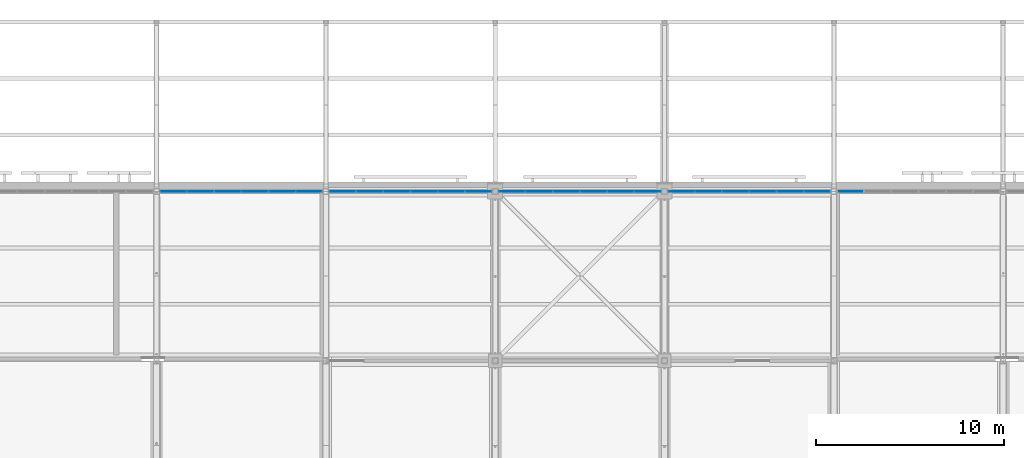
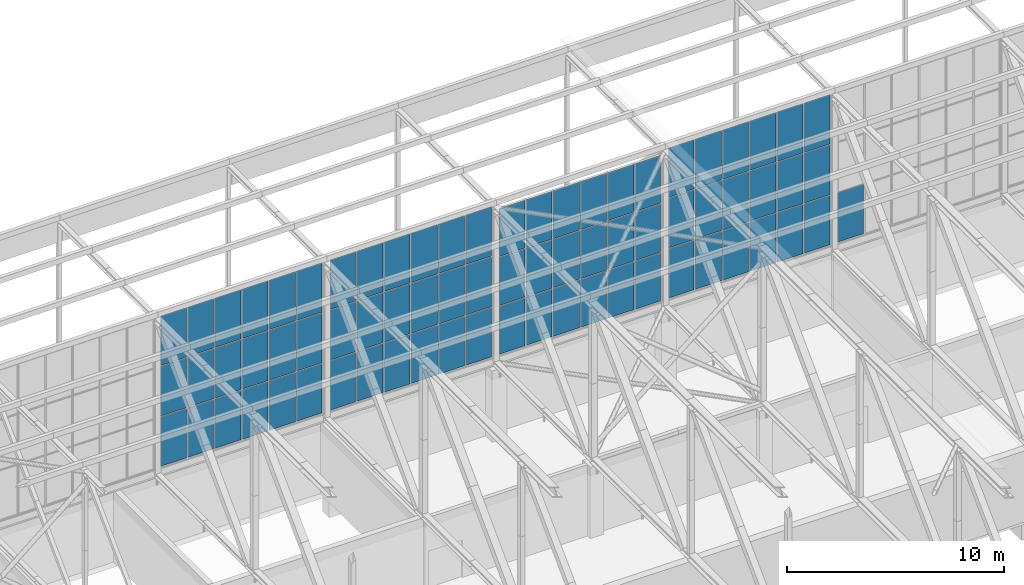
# One storey, part 161 of 646: 73 plates, 5 elements without a shape of their own.
"""IFC4 building model written with IfcOpenShell, lengths in metres."""

import ifcopenshell
import ifcopenshell.guid

model = None  # the IFC model being written
_history = None  # IfcOwnerHistory: only IFC2X3 demands one
_inside = {}  # id of a spatial element -> (the spatial element, [elements in it])
_under = {}  # id of a project, library or spatial element -> (it, [spatial elements below it])
_declared = {}  # id of a project -> (the project, [libraries it declares])
_typed = {}  # id of a type object -> (the type object, [elements of that type])
_made_of = {}  # id of a material, layer set ... -> (it, [elements and type objects made of it])


def new_model(schema):
    """Start an empty IFC model of exactly this schema.

    Asked for "IFC4X3", IfcOpenShell would pick the latest addendum, in which some entities
    have other attributes; the version numbers below select the first issue.
    IFC2X3 requires an IfcOwnerHistory on every rooted entity: one is made here for all.
    """
    global model, _history
    if schema == "IFC4X3":
        model = ifcopenshell.file(schema_version=(4, 3, 0, 0))
    else:
        model = ifcopenshell.file(schema=schema)
    _inside.clear()
    _under.clear()
    _declared.clear()
    _typed.clear()
    _made_of.clear()
    _history = None
    if model.schema == "IFC2X3":
        org = make("IfcOrganization", Name="unknown")
        user = make(
            "IfcPersonAndOrganization",
            ThePerson=make("IfcPerson", FamilyName="unknown"),
            TheOrganization=org,
        )
        app = make(
            "IfcApplication",
            ApplicationDeveloper=org,
            Version="unknown",
            ApplicationFullName="unknown",
            ApplicationIdentifier="unknown",
        )
        _history = make(
            "IfcOwnerHistory",
            OwningUser=user,
            OwningApplication=app,
            ChangeAction="ADDED",
            CreationDate=0,
        )
    return model


def make(cls, **values):
    """One entity of the class cls with the attributes given. An attribute that is None is left unset."""
    return model.create_entity(
        cls, **{name: value for name, value in values.items() if value is not None}
    )


def rooted(cls, **values):
    """An entity with a GlobalId (a new one), such as an element, a storey or a relation."""
    return make(cls, GlobalId=ifcopenshell.guid.new(), OwnerHistory=_history, **values)


def si_unit(unit_type, name, prefix=None):
    """IfcSIUnit, for example si_unit("LENGTHUNIT", "METRE", prefix="MILLI")."""
    return make("IfcSIUnit", UnitType=unit_type, Prefix=prefix, Name=name)


def assignment(units):
    """IfcUnitAssignment: the units of a project."""
    return None if units is None else make("IfcUnitAssignment", Units=units)


def point(xyz):
    """IfcCartesianPoint."""
    return None if xyz is None else make("IfcCartesianPoint", Coordinates=xyz)


def direction(xyz):
    """IfcDirection."""
    return None if xyz is None else make("IfcDirection", DirectionRatios=xyz)


def frame(location, z_axis=None, x_axis=None):
    """IfcAxis2Placement3D, a coordinate frame: its origin and axes. An axis left out is left unset."""
    return make(
        "IfcAxis2Placement3D",
        Location=point(location),
        Axis=direction(z_axis),
        RefDirection=direction(x_axis),
    )


def frame_2d(location, x_axis=None):
    """IfcAxis2Placement2D, a coordinate frame in the plane: its origin and x axis."""
    return make(
        "IfcAxis2Placement2D", Location=point(location), RefDirection=direction(x_axis)
    )


def origin():
    """The frame at (0, 0, 0) with its axes left unset."""
    return frame((0.0, 0.0, 0.0))


def origin_2d():
    """The frame at (0, 0) in the plane with its x axis left unset."""
    return frame_2d((0.0, 0.0))


def place(relative_to, where):
    """IfcLocalPlacement: puts the frame where relative to a parent placement (None: the world)."""
    return make(
        "IfcLocalPlacement", PlacementRelTo=relative_to, RelativePlacement=where
    )


def context(
    kind, dimensions, precision=None, world=None, true_north=None, identifier=None
):
    """IfcGeometricRepresentationContext, for example the 3D "Model" context."""
    return make(
        "IfcGeometricRepresentationContext",
        ContextIdentifier=identifier,
        ContextType=kind,
        CoordinateSpaceDimension=dimensions,
        Precision=precision,
        WorldCoordinateSystem=world,
        TrueNorth=true_north,
    )


def subcontext(parent, identifier, kind, view, scale=None):
    """IfcGeometricRepresentationSubContext, for example "Body" below "Model"."""
    return make(
        "IfcGeometricRepresentationSubContext",
        ContextIdentifier=identifier,
        ContextType=kind,
        ParentContext=parent,
        TargetScale=scale,
        TargetView=view,
    )


def project(units=None, contexts=None):
    """IfcProject with its units and contexts."""
    return rooted(
        "IfcProject",
        Name="project",
        RepresentationContexts=contexts,
        UnitsInContext=assignment(units),
    )


def spatial(cls, under=None, at=None, **own):
    """A site, building, storey or space (cls), placed at a placement, below another one or the project."""
    s = rooted(cls, ObjectPlacement=at, **own)
    if under is not None:
        _under.setdefault(under.id(), (under, []))[1].append(s)
    return s


def profile(cls, at=None, kind="AREA", **sizes):
    """A parametric profile (cls). Its sizes go by their IFC names, for example OverallWidth=200.0."""
    return make(cls, ProfileType=kind, Position=at, **sizes)


def rectangle(**sizes):
    """IfcRectangleProfileDef."""
    return profile("IfcRectangleProfileDef", **sizes)


def extrude(swept, where, along, depth):
    """IfcExtrudedAreaSolid: the profile swept, set in the frame where, extruded along a direction by depth."""
    return make(
        "IfcExtrudedAreaSolid",
        SweptArea=swept,
        Position=where,
        ExtrudedDirection=direction(along),
        Depth=depth,
    )


def shape(context_of_items, identifier, shape_type, items):
    """IfcShapeRepresentation: the items that make up one representation, for example the "Body"."""
    return make(
        "IfcShapeRepresentation",
        ContextOfItems=context_of_items,
        RepresentationIdentifier=identifier,
        RepresentationType=shape_type,
        Items=items,
    )


def material(Name=None, Category=None):
    """IfcMaterial."""
    return make("IfcMaterial", Name=Name, Category=Category)


def layer(
    of_material, thickness, ventilated=None, Name=None, Category=None, Priority=None
):
    """IfcMaterialLayer: one layer of a wall or slab, of a material (None: an air gap)."""
    return make(
        "IfcMaterialLayer",
        Material=of_material,
        LayerThickness=thickness,
        IsVentilated=ventilated,
        Name=Name,
        Category=Category,
        Priority=Priority,
    )


def layer_set(layers, Name=None):
    """IfcMaterialLayerSet."""
    return make("IfcMaterialLayerSet", MaterialLayers=layers, LayerSetName=Name)


def made_of(thing, what):
    """Note that an element or type object is made of a material, layer set ...; save() writes the relation."""
    if what is not None:
        _made_of.setdefault(what.id(), (what, []))[1].append(thing)
    return thing


def type_object(cls, material=None, **own):
    """A type object (cls), such as IfcWallType, which elements share."""
    return made_of(rooted(cls, **own), material)


def element(
    cls,
    number,
    at=None,
    inside=None,
    cuts=None,
    type_object=None,
    material=None,
    context=None,
    identifier="Body",
    shape_type=None,
    held_by="IfcProductDefinitionShape",
    body=None,
    shapes=None,
    **own,
):
    """One element of the class cls, such as IfcWall. Its Tag is "e" and its number.

    at: its placement. inside: the storey or other place that contains it. cuts: it is an
    opening in that element (IfcRelVoidsElement). A single representation is given by context,
    identifier, shape_type and body (its items); several are given by shapes. held_by: the class
    of the entity that holds the representations. save() writes the other relations.
    """
    e = rooted(cls, Tag="e%d" % number, ObjectPlacement=at, **own)
    if body is not None:
        shapes = [shape(context, identifier, shape_type, body)]
    if shapes is not None:
        e.Representation = make(held_by, Representations=shapes)
    if inside is not None:
        _inside.setdefault(inside.id(), (inside, []))[1].append(e)
    if cuts is not None:
        rooted(
            "IfcRelVoidsElement", RelatingBuildingElement=cuts, RelatedOpeningElement=e
        )
    if type_object is not None:
        _typed.setdefault(type_object.id(), (type_object, []))[1].append(e)
    return made_of(e, material)


def aggregate(whole, parts):
    """IfcRelAggregates: a whole, such as a stair, and the parts it consists of."""
    return rooted("IfcRelAggregates", RelatingObject=whole, RelatedObjects=parts)


def save(model, path):
    """Write the relations noted so far, then the file.

    IfcRelAggregates (storeys below a building ...), IfcRelContainedInSpatialStructure (elements
    in a storey), IfcRelDefinesByType, IfcRelAssociatesMaterial and IfcRelDeclares: one each for
    every whole, place, type object, material and project.
    """
    for whole, parts in _under.values():
        aggregate(whole, parts)
    for where, things in _inside.values():
        rooted(
            "IfcRelContainedInSpatialStructure",
            RelatedElements=things,
            RelatingStructure=where,
        )
    for kind, things in _typed.values():
        rooted("IfcRelDefinesByType", RelatedObjects=things, RelatingType=kind)
    for what, things in _made_of.values():
        rooted("IfcRelAssociatesMaterial", RelatedObjects=things, RelatingMaterial=what)
    for by, libraries in _declared.values():
        rooted("IfcRelDeclares", RelatingContext=by, RelatedDefinitions=libraries)
    model.write(path)


model = new_model("IFC4")

# Units and contexts
model_context = context("Model", 3, precision=1e-05, world=origin(), true_north=direction((0.0, 1.0)))
body_context = subcontext(model_context, "Body", "Model", "MODEL_VIEW")
ifc_project = project(units=[si_unit("LENGTHUNIT", "METRE"), si_unit("AREAUNIT", "SQUARE_METRE"), si_unit("VOLUMEUNIT", "CUBIC_METRE"), si_unit("PLANEANGLEUNIT", "RADIAN"), si_unit("MASSUNIT", "GRAM", prefix="KILO")], contexts=[model_context])

# Site, building, storey
site_placement = place(None, origin())
site = spatial("IfcSite", under=ifc_project, at=site_placement, CompositionType="ELEMENT")
building_placement = place(site_placement, origin())
building = spatial("IfcBuilding", under=site, at=building_placement, Name="Silverbay Arena", CompositionType="ELEMENT")
storey_placement = place(building_placement, frame((0.0, 0.0, 33.5)))
storey = spatial("IfcBuildingStorey", under=building, at=storey_placement, Name="L05", CompositionType="ELEMENT", Elevation=33.5)

# Curtain wall, plates
ifc_material_1 = material(Name="Aluminium framed glazing", Category="aluminium")
curtain_wall_type_1 = type_object("IfcCurtainWallType", Name="Curtain wall clerestory 8693 x 8540", PredefinedType="NOTDEFINED", material=ifc_material_1)
curtain_wall_1_placement = place(storey_placement, origin())
curtain_wall_1 = element("IfcCurtainWall", 1, at=curtain_wall_1_placement, inside=storey, type_object=curtain_wall_type_1, Name="ROOF CLERESTORY CURTAIN WALL north bay 07", PredefinedType="NOTDEFINED")
ifc_material_2 = material(Name="Laminated glass", Category="glass")
ifc_layer = layer(ifc_material_2, 0.028076171875)
ifc_layer_set = layer_set([ifc_layer], Name="Laminated glass")
plate_type = type_object("IfcPlateType", Name="Glass panel 28", PredefinedType="CURTAIN_PANEL", material=ifc_layer_set)
plate_1_placement = place(storey_placement, frame((108.89306640625, 144.0, 4.509765625), z_axis=(0.0, 0.0, 1.0), x_axis=(1.0, 0.0, 0.0)))
plate_1 = element("IfcPlate", 2, at=plate_1_placement, type_object=plate_type, Name="CW55 panel 1.1", PredefinedType="CURTAIN_PANEL", context=body_context, shape_type="SweptSolid", body=[
    extrude(rectangle(XDim=1.35888671875, YDim=0.028076171875, at=origin_2d()), origin(), (0.0, 0.0, 1.0), 2.771728515625),
])
plate_2_placement = place(storey_placement, frame((108.89306640625, 144.0, 7.33154296875), z_axis=(0.0, 0.0, 1.0), x_axis=(1.0, 0.0, 0.0)))
plate_2 = element("IfcPlate", 3, at=plate_2_placement, type_object=plate_type, Name="CW55 panel 1.2", PredefinedType="CURTAIN_PANEL", context=body_context, shape_type="SweptSolid", body=[
    extrude(rectangle(XDim=1.35888671875, YDim=0.028076171875, at=origin_2d()), origin(), (0.0, 0.0, 1.0), 2.796630859375),
])
plate_3_placement = place(storey_placement, frame((108.89306640625, 144.0, 10.17822265625), z_axis=(0.0, 0.0, 1.0), x_axis=(1.0, 0.0, 0.0)))
plate_3 = element("IfcPlate", 4, at=plate_3_placement, type_object=plate_type, Name="CW55 panel 1.3", PredefinedType="CURTAIN_PANEL", context=body_context, shape_type="SweptSolid", body=[
    extrude(rectangle(XDim=1.35888671875, YDim=0.028076171875, at=origin_2d()), origin(), (0.0, 0.0, 1.0), 2.771728515625),
])
plate_4_placement = place(storey_placement, frame((110.326904296875, 144.0, 4.509765625), z_axis=(0.0, 0.0, 1.0), x_axis=(1.0, 0.0, 0.0)))
plate_4 = element("IfcPlate", 5, at=plate_4_placement, type_object=plate_type, Name="CW55 panel 2.1", PredefinedType="CURTAIN_PANEL", context=body_context, shape_type="SweptSolid", body=[
    extrude(rectangle(XDim=1.388671875, YDim=0.028076171875, at=origin_2d()), origin(), (0.0, 0.0, 1.0), 2.771728515625),
])
plate_5_placement = place(storey_placement, frame((110.326904296875, 144.0, 7.33154296875), z_axis=(0.0, 0.0, 1.0), x_axis=(1.0, 0.0, 0.0)))
plate_5 = element("IfcPlate", 6, at=plate_5_placement, type_object=plate_type, Name="CW55 panel 2.2", PredefinedType="CURTAIN_PANEL", context=body_context, shape_type="SweptSolid", body=[
    extrude(rectangle(XDim=1.388671875, YDim=0.028076171875, at=origin_2d()), origin(), (0.0, 0.0, 1.0), 2.796630859375),
])
plate_6_placement = place(storey_placement, frame((110.326904296875, 144.0, 10.17822265625), z_axis=(0.0, 0.0, 1.0), x_axis=(1.0, 0.0, 0.0)))
plate_6 = element("IfcPlate", 7, at=plate_6_placement, type_object=plate_type, Name="CW55 panel 2.3", PredefinedType="CURTAIN_PANEL", context=body_context, shape_type="SweptSolid", body=[
    extrude(rectangle(XDim=1.388671875, YDim=0.028076171875, at=origin_2d()), origin(), (0.0, 0.0, 1.0), 2.771728515625),
])
plate_7_placement = place(storey_placement, frame((111.775634765625, 144.0, 4.509765625), z_axis=(0.0, 0.0, 1.0), x_axis=(1.0, 0.0, 0.0)))
plate_7 = element("IfcPlate", 8, at=plate_7_placement, type_object=plate_type, Name="CW55 panel 3.1", PredefinedType="CURTAIN_PANEL", context=body_context, shape_type="SweptSolid", body=[
    extrude(rectangle(XDim=1.388671875, YDim=0.028076171875, at=origin_2d()), origin(), (0.0, 0.0, 1.0), 2.771728515625),
])
plate_8_placement = place(storey_placement, frame((111.775634765625, 144.0, 7.33154296875), z_axis=(0.0, 0.0, 1.0), x_axis=(1.0, 0.0, 0.0)))
plate_8 = element("IfcPlate", 9, at=plate_8_placement, type_object=plate_type, Name="CW55 panel 3.2", PredefinedType="CURTAIN_PANEL", context=body_context, shape_type="SweptSolid", body=[
    extrude(rectangle(XDim=1.388671875, YDim=0.028076171875, at=origin_2d()), origin(), (0.0, 0.0, 1.0), 2.796630859375),
])
plate_9_placement = place(storey_placement, frame((111.775634765625, 144.0, 10.17822265625), z_axis=(0.0, 0.0, 1.0), x_axis=(1.0, 0.0, 0.0)))
plate_9 = element("IfcPlate", 10, at=plate_9_placement, type_object=plate_type, Name="CW55 panel 3.3", PredefinedType="CURTAIN_PANEL", context=body_context, shape_type="SweptSolid", body=[
    extrude(rectangle(XDim=1.388671875, YDim=0.028076171875, at=origin_2d()), origin(), (0.0, 0.0, 1.0), 2.771728515625),
])
plate_10_placement = place(storey_placement, frame((113.224365234375, 144.0, 4.509765625), z_axis=(0.0, 0.0, 1.0), x_axis=(1.0, 0.0, 0.0)))
plate_10 = element("IfcPlate", 11, at=plate_10_placement, type_object=plate_type, Name="CW55 panel 4.1", PredefinedType="CURTAIN_PANEL", context=body_context, shape_type="SweptSolid", body=[
    extrude(rectangle(XDim=1.388671875, YDim=0.028076171875, at=origin_2d()), origin(), (0.0, 0.0, 1.0), 2.771728515625),
])
plate_11_placement = place(storey_placement, frame((113.224365234375, 144.0, 7.33154296875), z_axis=(0.0, 0.0, 1.0), x_axis=(1.0, 0.0, 0.0)))
plate_11 = element("IfcPlate", 12, at=plate_11_placement, type_object=plate_type, Name="CW55 panel 4.2", PredefinedType="CURTAIN_PANEL", context=body_context, shape_type="SweptSolid", body=[
    extrude(rectangle(XDim=1.388671875, YDim=0.028076171875, at=origin_2d()), origin(), (0.0, 0.0, 1.0), 2.796630859375),
])
plate_12_placement = place(storey_placement, frame((113.224365234375, 144.0, 10.17822265625), z_axis=(0.0, 0.0, 1.0), x_axis=(1.0, 0.0, 0.0)))
plate_12 = element("IfcPlate", 13, at=plate_12_placement, type_object=plate_type, Name="CW55 panel 4.3", PredefinedType="CURTAIN_PANEL", context=body_context, shape_type="SweptSolid", body=[
    extrude(rectangle(XDim=1.388671875, YDim=0.028076171875, at=origin_2d()), origin(), (0.0, 0.0, 1.0), 2.771728515625),
])
plate_13_placement = place(storey_placement, frame((114.673095703125, 144.0, 4.509765625), z_axis=(0.0, 0.0, 1.0), x_axis=(1.0, 0.0, 0.0)))
plate_13 = element("IfcPlate", 14, at=plate_13_placement, type_object=plate_type, Name="CW55 panel 5.1", PredefinedType="CURTAIN_PANEL", context=body_context, shape_type="SweptSolid", body=[
    extrude(rectangle(XDim=1.388671875, YDim=0.028076171875, at=origin_2d()), origin(), (0.0, 0.0, 1.0), 2.771728515625),
])
plate_14_placement = place(storey_placement, frame((114.673095703125, 144.0, 7.33154296875), z_axis=(0.0, 0.0, 1.0), x_axis=(1.0, 0.0, 0.0)))
plate_14 = element("IfcPlate", 15, at=plate_14_placement, type_object=plate_type, Name="CW55 panel 5.2", PredefinedType="CURTAIN_PANEL", context=body_context, shape_type="SweptSolid", body=[
    extrude(rectangle(XDim=1.388671875, YDim=0.028076171875, at=origin_2d()), origin(), (0.0, 0.0, 1.0), 2.796630859375),
])
plate_15_placement = place(storey_placement, frame((114.673095703125, 144.0, 10.17822265625), z_axis=(0.0, 0.0, 1.0), x_axis=(1.0, 0.0, 0.0)))
plate_15 = element("IfcPlate", 16, at=plate_15_placement, type_object=plate_type, Name="CW55 panel 5.3", PredefinedType="CURTAIN_PANEL", context=body_context, shape_type="SweptSolid", body=[
    extrude(rectangle(XDim=1.388671875, YDim=0.028076171875, at=origin_2d()), origin(), (0.0, 0.0, 1.0), 2.771728515625),
])
plate_16_placement = place(storey_placement, frame((116.10693359375, 144.0, 4.509765625), z_axis=(0.0, 0.0, 1.0), x_axis=(1.0, 0.0, 0.0)))
plate_16 = element("IfcPlate", 17, at=plate_16_placement, type_object=plate_type, Name="CW55 panel 6.1", PredefinedType="CURTAIN_PANEL", context=body_context, shape_type="SweptSolid", body=[
    extrude(rectangle(XDim=1.35888671875, YDim=0.028076171875, at=origin_2d()), origin(), (0.0, 0.0, 1.0), 2.771728515625),
])
plate_17_placement = place(storey_placement, frame((116.10693359375, 144.0, 7.33154296875), z_axis=(0.0, 0.0, 1.0), x_axis=(1.0, 0.0, 0.0)))
plate_17 = element("IfcPlate", 18, at=plate_17_placement, type_object=plate_type, Name="CW55 panel 6.2", PredefinedType="CURTAIN_PANEL", context=body_context, shape_type="SweptSolid", body=[
    extrude(rectangle(XDim=1.35888671875, YDim=0.028076171875, at=origin_2d()), origin(), (0.0, 0.0, 1.0), 2.796630859375),
])
plate_18_placement = place(storey_placement, frame((116.10693359375, 144.0, 10.17822265625), z_axis=(0.0, 0.0, 1.0), x_axis=(1.0, 0.0, 0.0)))
plate_18 = element("IfcPlate", 19, at=plate_18_placement, type_object=plate_type, Name="CW55 panel 6.3", PredefinedType="CURTAIN_PANEL", context=body_context, shape_type="SweptSolid", body=[
    extrude(rectangle(XDim=1.35888671875, YDim=0.028076171875, at=origin_2d()), origin(), (0.0, 0.0, 1.0), 2.771728515625),
])
aggregate(curtain_wall_1, [plate_1, plate_2, plate_3, plate_4, plate_5, plate_6, plate_7, plate_8, plate_9, plate_10, plate_11, plate_12, plate_13, plate_14, plate_15, plate_16, plate_17, plate_18])

curtain_wall_2_placement = place(storey_placement, origin())
curtain_wall_2 = element("IfcCurtainWall", 20, at=curtain_wall_2_placement, inside=storey, type_object=curtain_wall_type_1, Name="ROOF CLERESTORY CURTAIN WALL north bay 08", PredefinedType="NOTDEFINED")
plate_19_placement = place(storey_placement, frame((117.89306640625, 144.0, 4.509765625), z_axis=(0.0, 0.0, 1.0), x_axis=(1.0, 0.0, 0.0)))
plate_19 = element("IfcPlate", 21, at=plate_19_placement, type_object=plate_type, Name="CW55 panel 1.1", PredefinedType="CURTAIN_PANEL", context=body_context, shape_type="SweptSolid", body=[
    extrude(rectangle(XDim=1.35888671875, YDim=0.028076171875, at=origin_2d()), origin(), (0.0, 0.0, 1.0), 2.771728515625),
])
plate_20_placement = place(storey_placement, frame((117.89306640625, 144.0, 7.33154296875), z_axis=(0.0, 0.0, 1.0), x_axis=(1.0, 0.0, 0.0)))
plate_20 = element("IfcPlate", 22, at=plate_20_placement, type_object=plate_type, Name="CW55 panel 1.2", PredefinedType="CURTAIN_PANEL", context=body_context, shape_type="SweptSolid", body=[
    extrude(rectangle(XDim=1.35888671875, YDim=0.028076171875, at=origin_2d()), origin(), (0.0, 0.0, 1.0), 2.796630859375),
])
plate_21_placement = place(storey_placement, frame((117.89306640625, 144.0, 10.17822265625), z_axis=(0.0, 0.0, 1.0), x_axis=(1.0, 0.0, 0.0)))
plate_21 = element("IfcPlate", 23, at=plate_21_placement, type_object=plate_type, Name="CW55 panel 1.3", PredefinedType="CURTAIN_PANEL", context=body_context, shape_type="SweptSolid", body=[
    extrude(rectangle(XDim=1.35888671875, YDim=0.028076171875, at=origin_2d()), origin(), (0.0, 0.0, 1.0), 2.771728515625),
])
plate_22_placement = place(storey_placement, frame((119.326904296875, 144.0, 4.509765625), z_axis=(0.0, 0.0, 1.0), x_axis=(1.0, 0.0, 0.0)))
plate_22 = element("IfcPlate", 24, at=plate_22_placement, type_object=plate_type, Name="CW55 panel 2.1", PredefinedType="CURTAIN_PANEL", context=body_context, shape_type="SweptSolid", body=[
    extrude(rectangle(XDim=1.388671875, YDim=0.028076171875, at=origin_2d()), origin(), (0.0, 0.0, 1.0), 2.771728515625),
])
plate_23_placement = place(storey_placement, frame((119.326904296875, 144.0, 7.33154296875), z_axis=(0.0, 0.0, 1.0), x_axis=(1.0, 0.0, 0.0)))
plate_23 = element("IfcPlate", 25, at=plate_23_placement, type_object=plate_type, Name="CW55 panel 2.2", PredefinedType="CURTAIN_PANEL", context=body_context, shape_type="SweptSolid", body=[
    extrude(rectangle(XDim=1.388671875, YDim=0.028076171875, at=origin_2d()), origin(), (0.0, 0.0, 1.0), 2.796630859375),
])
plate_24_placement = place(storey_placement, frame((119.326904296875, 144.0, 10.17822265625), z_axis=(0.0, 0.0, 1.0), x_axis=(1.0, 0.0, 0.0)))
plate_24 = element("IfcPlate", 26, at=plate_24_placement, type_object=plate_type, Name="CW55 panel 2.3", PredefinedType="CURTAIN_PANEL", context=body_context, shape_type="SweptSolid", body=[
    extrude(rectangle(XDim=1.388671875, YDim=0.028076171875, at=origin_2d()), origin(), (0.0, 0.0, 1.0), 2.771728515625),
])
plate_25_placement = place(storey_placement, frame((120.775634765625, 144.0, 4.509765625), z_axis=(0.0, 0.0, 1.0), x_axis=(1.0, 0.0, 0.0)))
plate_25 = element("IfcPlate", 27, at=plate_25_placement, type_object=plate_type, Name="CW55 panel 3.1", PredefinedType="CURTAIN_PANEL", context=body_context, shape_type="SweptSolid", body=[
    extrude(rectangle(XDim=1.388671875, YDim=0.028076171875, at=origin_2d()), origin(), (0.0, 0.0, 1.0), 2.771728515625),
])
plate_26_placement = place(storey_placement, frame((120.775634765625, 144.0, 7.33154296875), z_axis=(0.0, 0.0, 1.0), x_axis=(1.0, 0.0, 0.0)))
plate_26 = element("IfcPlate", 28, at=plate_26_placement, type_object=plate_type, Name="CW55 panel 3.2", PredefinedType="CURTAIN_PANEL", context=body_context, shape_type="SweptSolid", body=[
    extrude(rectangle(XDim=1.388671875, YDim=0.028076171875, at=origin_2d()), origin(), (0.0, 0.0, 1.0), 2.796630859375),
])
plate_27_placement = place(storey_placement, frame((120.775634765625, 144.0, 10.17822265625), z_axis=(0.0, 0.0, 1.0), x_axis=(1.0, 0.0, 0.0)))
plate_27 = element("IfcPlate", 29, at=plate_27_placement, type_object=plate_type, Name="CW55 panel 3.3", PredefinedType="CURTAIN_PANEL", context=body_context, shape_type="SweptSolid", body=[
    extrude(rectangle(XDim=1.388671875, YDim=0.028076171875, at=origin_2d()), origin(), (0.0, 0.0, 1.0), 2.771728515625),
])
plate_28_placement = place(storey_placement, frame((122.224365234375, 144.0, 4.509765625), z_axis=(0.0, 0.0, 1.0), x_axis=(1.0, 0.0, 0.0)))
plate_28 = element("IfcPlate", 30, at=plate_28_placement, type_object=plate_type, Name="CW55 panel 4.1", PredefinedType="CURTAIN_PANEL", context=body_context, shape_type="SweptSolid", body=[
    extrude(rectangle(XDim=1.388671875, YDim=0.028076171875, at=origin_2d()), origin(), (0.0, 0.0, 1.0), 2.771728515625),
])
plate_29_placement = place(storey_placement, frame((122.224365234375, 144.0, 7.33154296875), z_axis=(0.0, 0.0, 1.0), x_axis=(1.0, 0.0, 0.0)))
plate_29 = element("IfcPlate", 31, at=plate_29_placement, type_object=plate_type, Name="CW55 panel 4.2", PredefinedType="CURTAIN_PANEL", context=body_context, shape_type="SweptSolid", body=[
    extrude(rectangle(XDim=1.388671875, YDim=0.028076171875, at=origin_2d()), origin(), (0.0, 0.0, 1.0), 2.796630859375),
])
plate_30_placement = place(storey_placement, frame((122.224365234375, 144.0, 10.17822265625), z_axis=(0.0, 0.0, 1.0), x_axis=(1.0, 0.0, 0.0)))
plate_30 = element("IfcPlate", 32, at=plate_30_placement, type_object=plate_type, Name="CW55 panel 4.3", PredefinedType="CURTAIN_PANEL", context=body_context, shape_type="SweptSolid", body=[
    extrude(rectangle(XDim=1.388671875, YDim=0.028076171875, at=origin_2d()), origin(), (0.0, 0.0, 1.0), 2.771728515625),
])
plate_31_placement = place(storey_placement, frame((123.673095703125, 144.0, 4.509765625), z_axis=(0.0, 0.0, 1.0), x_axis=(1.0, 0.0, 0.0)))
plate_31 = element("IfcPlate", 33, at=plate_31_placement, type_object=plate_type, Name="CW55 panel 5.1", PredefinedType="CURTAIN_PANEL", context=body_context, shape_type="SweptSolid", body=[
    extrude(rectangle(XDim=1.388671875, YDim=0.028076171875, at=origin_2d()), origin(), (0.0, 0.0, 1.0), 2.771728515625),
])
plate_32_placement = place(storey_placement, frame((123.673095703125, 144.0, 7.33154296875), z_axis=(0.0, 0.0, 1.0), x_axis=(1.0, 0.0, 0.0)))
plate_32 = element("IfcPlate", 34, at=plate_32_placement, type_object=plate_type, Name="CW55 panel 5.2", PredefinedType="CURTAIN_PANEL", context=body_context, shape_type="SweptSolid", body=[
    extrude(rectangle(XDim=1.388671875, YDim=0.028076171875, at=origin_2d()), origin(), (0.0, 0.0, 1.0), 2.796630859375),
])
plate_33_placement = place(storey_placement, frame((123.673095703125, 144.0, 10.17822265625), z_axis=(0.0, 0.0, 1.0), x_axis=(1.0, 0.0, 0.0)))
plate_33 = element("IfcPlate", 35, at=plate_33_placement, type_object=plate_type, Name="CW55 panel 5.3", PredefinedType="CURTAIN_PANEL", context=body_context, shape_type="SweptSolid", body=[
    extrude(rectangle(XDim=1.388671875, YDim=0.028076171875, at=origin_2d()), origin(), (0.0, 0.0, 1.0), 2.771728515625),
])
plate_34_placement = place(storey_placement, frame((125.10693359375, 144.0, 4.509765625), z_axis=(0.0, 0.0, 1.0), x_axis=(1.0, 0.0, 0.0)))
plate_34 = element("IfcPlate", 36, at=plate_34_placement, type_object=plate_type, Name="CW55 panel 6.1", PredefinedType="CURTAIN_PANEL", context=body_context, shape_type="SweptSolid", body=[
    extrude(rectangle(XDim=1.35888671875, YDim=0.028076171875, at=origin_2d()), origin(), (0.0, 0.0, 1.0), 2.771728515625),
])
plate_35_placement = place(storey_placement, frame((125.10693359375, 144.0, 7.33154296875), z_axis=(0.0, 0.0, 1.0), x_axis=(1.0, 0.0, 0.0)))
plate_35 = element("IfcPlate", 37, at=plate_35_placement, type_object=plate_type, Name="CW55 panel 6.2", PredefinedType="CURTAIN_PANEL", context=body_context, shape_type="SweptSolid", body=[
    extrude(rectangle(XDim=1.35888671875, YDim=0.028076171875, at=origin_2d()), origin(), (0.0, 0.0, 1.0), 2.796630859375),
])
plate_36_placement = place(storey_placement, frame((125.10693359375, 144.0, 10.17822265625), z_axis=(0.0, 0.0, 1.0), x_axis=(1.0, 0.0, 0.0)))
plate_36 = element("IfcPlate", 38, at=plate_36_placement, type_object=plate_type, Name="CW55 panel 6.3", PredefinedType="CURTAIN_PANEL", context=body_context, shape_type="SweptSolid", body=[
    extrude(rectangle(XDim=1.35888671875, YDim=0.028076171875, at=origin_2d()), origin(), (0.0, 0.0, 1.0), 2.771728515625),
])
aggregate(curtain_wall_2, [plate_19, plate_20, plate_21, plate_22, plate_23, plate_24, plate_25, plate_26, plate_27, plate_28, plate_29, plate_30, plate_31, plate_32, plate_33, plate_34, plate_35, plate_36])

ifc_material_3 = material(Name="Aluminium framed glazing", Category="aluminium")
curtain_wall_type_2 = type_object("IfcCurtainWallType", Name="Curtain wall clerestory 8693 x 8273", PredefinedType="NOTDEFINED", material=ifc_material_3)
curtain_wall_3_placement = place(storey_placement, origin())
curtain_wall_3 = element("IfcCurtainWall", 39, at=curtain_wall_3_placement, inside=storey, type_object=curtain_wall_type_2, Name="ROOF CLERESTORY CURTAIN WALL north bay 09", PredefinedType="NOTDEFINED")
plate_37_placement = place(storey_placement, frame((126.89306640625, 144.0, 4.510009765625), z_axis=(0.0, 0.0, 1.0), x_axis=(1.0, 0.0, 0.0)))
plate_37 = element("IfcPlate", 40, at=plate_37_placement, type_object=plate_type, Name="CW56 panel 1.1", PredefinedType="CURTAIN_PANEL", context=body_context, shape_type="SweptSolid", body=[
    extrude(rectangle(XDim=1.35888671875, YDim=0.028076171875, at=origin_2d()), origin(), (0.0, 0.0, 1.0), 2.6826171875),
])
plate_38_placement = place(storey_placement, frame((126.89306640625, 144.0, 7.24267578125), z_axis=(0.0, 0.0, 1.0), x_axis=(1.0, 0.0, 0.0)))
plate_38 = element("IfcPlate", 41, at=plate_38_placement, type_object=plate_type, Name="CW56 panel 1.2", PredefinedType="CURTAIN_PANEL", context=body_context, shape_type="SweptSolid", body=[
    extrude(rectangle(XDim=1.35888671875, YDim=0.028076171875, at=origin_2d()), origin(), (0.0, 0.0, 1.0), 2.707763671875),
])
plate_39_placement = place(storey_placement, frame((126.89306640625, 144.0, 10.00048828125), z_axis=(0.0, 0.0, 1.0), x_axis=(1.0, 0.0, 0.0)))
plate_39 = element("IfcPlate", 42, at=plate_39_placement, type_object=plate_type, Name="CW56 panel 1.3", PredefinedType="CURTAIN_PANEL", context=body_context, shape_type="SweptSolid", body=[
    extrude(rectangle(XDim=1.35888671875, YDim=0.028076171875, at=origin_2d()), origin(), (0.0, 0.0, 1.0), 2.6826171875),
])
plate_40_placement = place(storey_placement, frame((128.326904296875, 144.0, 4.510009765625), z_axis=(0.0, 0.0, 1.0), x_axis=(1.0, 0.0, 0.0)))
plate_40 = element("IfcPlate", 43, at=plate_40_placement, type_object=plate_type, Name="CW56 panel 2.1", PredefinedType="CURTAIN_PANEL", context=body_context, shape_type="SweptSolid", body=[
    extrude(rectangle(XDim=1.388671875, YDim=0.028076171875, at=origin_2d()), origin(), (0.0, 0.0, 1.0), 2.6826171875),
])
plate_41_placement = place(storey_placement, frame((128.326904296875, 144.0, 7.24267578125), z_axis=(0.0, 0.0, 1.0), x_axis=(1.0, 0.0, 0.0)))
plate_41 = element("IfcPlate", 44, at=plate_41_placement, type_object=plate_type, Name="CW56 panel 2.2", PredefinedType="CURTAIN_PANEL", context=body_context, shape_type="SweptSolid", body=[
    extrude(rectangle(XDim=1.388671875, YDim=0.028076171875, at=origin_2d()), origin(), (0.0, 0.0, 1.0), 2.707763671875),
])
plate_42_placement = place(storey_placement, frame((128.326904296875, 144.0, 10.00048828125), z_axis=(0.0, 0.0, 1.0), x_axis=(1.0, 0.0, 0.0)))
plate_42 = element("IfcPlate", 45, at=plate_42_placement, type_object=plate_type, Name="CW56 panel 2.3", PredefinedType="CURTAIN_PANEL", context=body_context, shape_type="SweptSolid", body=[
    extrude(rectangle(XDim=1.388671875, YDim=0.028076171875, at=origin_2d()), origin(), (0.0, 0.0, 1.0), 2.6826171875),
])
plate_43_placement = place(storey_placement, frame((129.775634765625, 144.0, 4.510009765625), z_axis=(0.0, 0.0, 1.0), x_axis=(1.0, 0.0, 0.0)))
plate_43 = element("IfcPlate", 46, at=plate_43_placement, type_object=plate_type, Name="CW56 panel 3.1", PredefinedType="CURTAIN_PANEL", context=body_context, shape_type="SweptSolid", body=[
    extrude(rectangle(XDim=1.388671875, YDim=0.028076171875, at=origin_2d()), origin(), (0.0, 0.0, 1.0), 2.6826171875),
])
plate_44_placement = place(storey_placement, frame((129.775634765625, 144.0, 7.24267578125), z_axis=(0.0, 0.0, 1.0), x_axis=(1.0, 0.0, 0.0)))
plate_44 = element("IfcPlate", 47, at=plate_44_placement, type_object=plate_type, Name="CW56 panel 3.2", PredefinedType="CURTAIN_PANEL", context=body_context, shape_type="SweptSolid", body=[
    extrude(rectangle(XDim=1.388671875, YDim=0.028076171875, at=origin_2d()), origin(), (0.0, 0.0, 1.0), 2.707763671875),
])
plate_45_placement = place(storey_placement, frame((129.775634765625, 144.0, 10.00048828125), z_axis=(0.0, 0.0, 1.0), x_axis=(1.0, 0.0, 0.0)))
plate_45 = element("IfcPlate", 48, at=plate_45_placement, type_object=plate_type, Name="CW56 panel 3.3", PredefinedType="CURTAIN_PANEL", context=body_context, shape_type="SweptSolid", body=[
    extrude(rectangle(XDim=1.388671875, YDim=0.028076171875, at=origin_2d()), origin(), (0.0, 0.0, 1.0), 2.6826171875),
])
plate_46_placement = place(storey_placement, frame((131.224365234375, 144.0, 4.510009765625), z_axis=(0.0, 0.0, 1.0), x_axis=(1.0, 0.0, 0.0)))
plate_46 = element("IfcPlate", 49, at=plate_46_placement, type_object=plate_type, Name="CW56 panel 4.1", PredefinedType="CURTAIN_PANEL", context=body_context, shape_type="SweptSolid", body=[
    extrude(rectangle(XDim=1.388671875, YDim=0.028076171875, at=origin_2d()), origin(), (0.0, 0.0, 1.0), 2.6826171875),
])
plate_47_placement = place(storey_placement, frame((131.224365234375, 144.0, 7.24267578125), z_axis=(0.0, 0.0, 1.0), x_axis=(1.0, 0.0, 0.0)))
plate_47 = element("IfcPlate", 50, at=plate_47_placement, type_object=plate_type, Name="CW56 panel 4.2", PredefinedType="CURTAIN_PANEL", context=body_context, shape_type="SweptSolid", body=[
    extrude(rectangle(XDim=1.388671875, YDim=0.028076171875, at=origin_2d()), origin(), (0.0, 0.0, 1.0), 2.707763671875),
])
plate_48_placement = place(storey_placement, frame((131.224365234375, 144.0, 10.00048828125), z_axis=(0.0, 0.0, 1.0), x_axis=(1.0, 0.0, 0.0)))
plate_48 = element("IfcPlate", 51, at=plate_48_placement, type_object=plate_type, Name="CW56 panel 4.3", PredefinedType="CURTAIN_PANEL", context=body_context, shape_type="SweptSolid", body=[
    extrude(rectangle(XDim=1.388671875, YDim=0.028076171875, at=origin_2d()), origin(), (0.0, 0.0, 1.0), 2.6826171875),
])
plate_49_placement = place(storey_placement, frame((132.673095703125, 144.0, 4.510009765625), z_axis=(0.0, 0.0, 1.0), x_axis=(1.0, 0.0, 0.0)))
plate_49 = element("IfcPlate", 52, at=plate_49_placement, type_object=plate_type, Name="CW56 panel 5.1", PredefinedType="CURTAIN_PANEL", context=body_context, shape_type="SweptSolid", body=[
    extrude(rectangle(XDim=1.388671875, YDim=0.028076171875, at=origin_2d()), origin(), (0.0, 0.0, 1.0), 2.6826171875),
])
plate_50_placement = place(storey_placement, frame((132.673095703125, 144.0, 7.24267578125), z_axis=(0.0, 0.0, 1.0), x_axis=(1.0, 0.0, 0.0)))
plate_50 = element("IfcPlate", 53, at=plate_50_placement, type_object=plate_type, Name="CW56 panel 5.2", PredefinedType="CURTAIN_PANEL", context=body_context, shape_type="SweptSolid", body=[
    extrude(rectangle(XDim=1.388671875, YDim=0.028076171875, at=origin_2d()), origin(), (0.0, 0.0, 1.0), 2.707763671875),
])
plate_51_placement = place(storey_placement, frame((132.673095703125, 144.0, 10.00048828125), z_axis=(0.0, 0.0, 1.0), x_axis=(1.0, 0.0, 0.0)))
plate_51 = element("IfcPlate", 54, at=plate_51_placement, type_object=plate_type, Name="CW56 panel 5.3", PredefinedType="CURTAIN_PANEL", context=body_context, shape_type="SweptSolid", body=[
    extrude(rectangle(XDim=1.388671875, YDim=0.028076171875, at=origin_2d()), origin(), (0.0, 0.0, 1.0), 2.6826171875),
])
plate_52_placement = place(storey_placement, frame((134.10693359375, 144.0, 4.510009765625), z_axis=(0.0, 0.0, 1.0), x_axis=(1.0, 0.0, 0.0)))
plate_52 = element("IfcPlate", 55, at=plate_52_placement, type_object=plate_type, Name="CW56 panel 6.1", PredefinedType="CURTAIN_PANEL", context=body_context, shape_type="SweptSolid", body=[
    extrude(rectangle(XDim=1.35888671875, YDim=0.028076171875, at=origin_2d()), origin(), (0.0, 0.0, 1.0), 2.6826171875),
])
plate_53_placement = place(storey_placement, frame((134.10693359375, 144.0, 7.24267578125), z_axis=(0.0, 0.0, 1.0), x_axis=(1.0, 0.0, 0.0)))
plate_53 = element("IfcPlate", 56, at=plate_53_placement, type_object=plate_type, Name="CW56 panel 6.2", PredefinedType="CURTAIN_PANEL", context=body_context, shape_type="SweptSolid", body=[
    extrude(rectangle(XDim=1.35888671875, YDim=0.028076171875, at=origin_2d()), origin(), (0.0, 0.0, 1.0), 2.707763671875),
])
plate_54_placement = place(storey_placement, frame((134.10693359375, 144.0, 10.00048828125), z_axis=(0.0, 0.0, 1.0), x_axis=(1.0, 0.0, 0.0)))
plate_54 = element("IfcPlate", 57, at=plate_54_placement, type_object=plate_type, Name="CW56 panel 6.3", PredefinedType="CURTAIN_PANEL", context=body_context, shape_type="SweptSolid", body=[
    extrude(rectangle(XDim=1.35888671875, YDim=0.028076171875, at=origin_2d()), origin(), (0.0, 0.0, 1.0), 2.6826171875),
])
aggregate(curtain_wall_3, [plate_37, plate_38, plate_39, plate_40, plate_41, plate_42, plate_43, plate_44, plate_45, plate_46, plate_47, plate_48, plate_49, plate_50, plate_51, plate_52, plate_53, plate_54])

curtain_wall_4_placement = place(storey_placement, origin())
curtain_wall_4 = element("IfcCurtainWall", 58, at=curtain_wall_4_placement, inside=storey, type_object=curtain_wall_type_1, Name="ROOF CLERESTORY CURTAIN WALL north bay 10", PredefinedType="NOTDEFINED")
plate_55_placement = place(storey_placement, frame((135.89306640625, 144.0, 4.509765625), z_axis=(0.0, 0.0, 1.0), x_axis=(1.0, 0.0, 0.0)))
plate_55 = element("IfcPlate", 59, at=plate_55_placement, type_object=plate_type, Name="CW55 panel 1.1", PredefinedType="CURTAIN_PANEL", context=body_context, shape_type="SweptSolid", body=[
    extrude(rectangle(XDim=1.35888671875, YDim=0.028076171875, at=origin_2d()), origin(), (0.0, 0.0, 1.0), 2.771728515625),
])
plate_56_placement = place(storey_placement, frame((135.89306640625, 144.0, 7.33154296875), z_axis=(0.0, 0.0, 1.0), x_axis=(1.0, 0.0, 0.0)))
plate_56 = element("IfcPlate", 60, at=plate_56_placement, type_object=plate_type, Name="CW55 panel 1.2", PredefinedType="CURTAIN_PANEL", context=body_context, shape_type="SweptSolid", body=[
    extrude(rectangle(XDim=1.35888671875, YDim=0.028076171875, at=origin_2d()), origin(), (0.0, 0.0, 1.0), 2.796630859375),
])
plate_57_placement = place(storey_placement, frame((135.89306640625, 144.0, 10.17822265625), z_axis=(0.0, 0.0, 1.0), x_axis=(1.0, 0.0, 0.0)))
plate_57 = element("IfcPlate", 61, at=plate_57_placement, type_object=plate_type, Name="CW55 panel 1.3", PredefinedType="CURTAIN_PANEL", context=body_context, shape_type="SweptSolid", body=[
    extrude(rectangle(XDim=1.35888671875, YDim=0.028076171875, at=origin_2d()), origin(), (0.0, 0.0, 1.0), 2.771728515625),
])
plate_58_placement = place(storey_placement, frame((137.326904296875, 144.0, 4.509765625), z_axis=(0.0, 0.0, 1.0), x_axis=(1.0, 0.0, 0.0)))
plate_58 = element("IfcPlate", 62, at=plate_58_placement, type_object=plate_type, Name="CW55 panel 2.1", PredefinedType="CURTAIN_PANEL", context=body_context, shape_type="SweptSolid", body=[
    extrude(rectangle(XDim=1.388671875, YDim=0.028076171875, at=origin_2d()), origin(), (0.0, 0.0, 1.0), 2.771728515625),
])
plate_59_placement = place(storey_placement, frame((137.326904296875, 144.0, 7.33154296875), z_axis=(0.0, 0.0, 1.0), x_axis=(1.0, 0.0, 0.0)))
plate_59 = element("IfcPlate", 63, at=plate_59_placement, type_object=plate_type, Name="CW55 panel 2.2", PredefinedType="CURTAIN_PANEL", context=body_context, shape_type="SweptSolid", body=[
    extrude(rectangle(XDim=1.388671875, YDim=0.028076171875, at=origin_2d()), origin(), (0.0, 0.0, 1.0), 2.796630859375),
])
plate_60_placement = place(storey_placement, frame((137.326904296875, 144.0, 10.17822265625), z_axis=(0.0, 0.0, 1.0), x_axis=(1.0, 0.0, 0.0)))
plate_60 = element("IfcPlate", 64, at=plate_60_placement, type_object=plate_type, Name="CW55 panel 2.3", PredefinedType="CURTAIN_PANEL", context=body_context, shape_type="SweptSolid", body=[
    extrude(rectangle(XDim=1.388671875, YDim=0.028076171875, at=origin_2d()), origin(), (0.0, 0.0, 1.0), 2.771728515625),
])
plate_61_placement = place(storey_placement, frame((138.775634765625, 144.0, 4.509765625), z_axis=(0.0, 0.0, 1.0), x_axis=(1.0, 0.0, 0.0)))
plate_61 = element("IfcPlate", 65, at=plate_61_placement, type_object=plate_type, Name="CW55 panel 3.1", PredefinedType="CURTAIN_PANEL", context=body_context, shape_type="SweptSolid", body=[
    extrude(rectangle(XDim=1.388671875, YDim=0.028076171875, at=origin_2d()), origin(), (0.0, 0.0, 1.0), 2.771728515625),
])
plate_62_placement = place(storey_placement, frame((138.775634765625, 144.0, 7.33154296875), z_axis=(0.0, 0.0, 1.0), x_axis=(1.0, 0.0, 0.0)))
plate_62 = element("IfcPlate", 66, at=plate_62_placement, type_object=plate_type, Name="CW55 panel 3.2", PredefinedType="CURTAIN_PANEL", context=body_context, shape_type="SweptSolid", body=[
    extrude(rectangle(XDim=1.388671875, YDim=0.028076171875, at=origin_2d()), origin(), (0.0, 0.0, 1.0), 2.796630859375),
])
plate_63_placement = place(storey_placement, frame((138.775634765625, 144.0, 10.17822265625), z_axis=(0.0, 0.0, 1.0), x_axis=(1.0, 0.0, 0.0)))
plate_63 = element("IfcPlate", 67, at=plate_63_placement, type_object=plate_type, Name="CW55 panel 3.3", PredefinedType="CURTAIN_PANEL", context=body_context, shape_type="SweptSolid", body=[
    extrude(rectangle(XDim=1.388671875, YDim=0.028076171875, at=origin_2d()), origin(), (0.0, 0.0, 1.0), 2.771728515625),
])
plate_64_placement = place(storey_placement, frame((140.224365234375, 144.0, 4.509765625), z_axis=(0.0, 0.0, 1.0), x_axis=(1.0, 0.0, 0.0)))
plate_64 = element("IfcPlate", 68, at=plate_64_placement, type_object=plate_type, Name="CW55 panel 4.1", PredefinedType="CURTAIN_PANEL", context=body_context, shape_type="SweptSolid", body=[
    extrude(rectangle(XDim=1.388671875, YDim=0.028076171875, at=origin_2d()), origin(), (0.0, 0.0, 1.0), 2.771728515625),
])
plate_65_placement = place(storey_placement, frame((140.224365234375, 144.0, 7.33154296875), z_axis=(0.0, 0.0, 1.0), x_axis=(1.0, 0.0, 0.0)))
plate_65 = element("IfcPlate", 69, at=plate_65_placement, type_object=plate_type, Name="CW55 panel 4.2", PredefinedType="CURTAIN_PANEL", context=body_context, shape_type="SweptSolid", body=[
    extrude(rectangle(XDim=1.388671875, YDim=0.028076171875, at=origin_2d()), origin(), (0.0, 0.0, 1.0), 2.796630859375),
])
plate_66_placement = place(storey_placement, frame((140.224365234375, 144.0, 10.17822265625), z_axis=(0.0, 0.0, 1.0), x_axis=(1.0, 0.0, 0.0)))
plate_66 = element("IfcPlate", 70, at=plate_66_placement, type_object=plate_type, Name="CW55 panel 4.3", PredefinedType="CURTAIN_PANEL", context=body_context, shape_type="SweptSolid", body=[
    extrude(rectangle(XDim=1.388671875, YDim=0.028076171875, at=origin_2d()), origin(), (0.0, 0.0, 1.0), 2.771728515625),
])
plate_67_placement = place(storey_placement, frame((141.673095703125, 144.0, 4.509765625), z_axis=(0.0, 0.0, 1.0), x_axis=(1.0, 0.0, 0.0)))
plate_67 = element("IfcPlate", 71, at=plate_67_placement, type_object=plate_type, Name="CW55 panel 5.1", PredefinedType="CURTAIN_PANEL", context=body_context, shape_type="SweptSolid", body=[
    extrude(rectangle(XDim=1.388671875, YDim=0.028076171875, at=origin_2d()), origin(), (0.0, 0.0, 1.0), 2.771728515625),
])
plate_68_placement = place(storey_placement, frame((141.673095703125, 144.0, 7.33154296875), z_axis=(0.0, 0.0, 1.0), x_axis=(1.0, 0.0, 0.0)))
plate_68 = element("IfcPlate", 72, at=plate_68_placement, type_object=plate_type, Name="CW55 panel 5.2", PredefinedType="CURTAIN_PANEL", context=body_context, shape_type="SweptSolid", body=[
    extrude(rectangle(XDim=1.388671875, YDim=0.028076171875, at=origin_2d()), origin(), (0.0, 0.0, 1.0), 2.796630859375),
])
plate_69_placement = place(storey_placement, frame((141.673095703125, 144.0, 10.17822265625), z_axis=(0.0, 0.0, 1.0), x_axis=(1.0, 0.0, 0.0)))
plate_69 = element("IfcPlate", 73, at=plate_69_placement, type_object=plate_type, Name="CW55 panel 5.3", PredefinedType="CURTAIN_PANEL", context=body_context, shape_type="SweptSolid", body=[
    extrude(rectangle(XDim=1.388671875, YDim=0.028076171875, at=origin_2d()), origin(), (0.0, 0.0, 1.0), 2.771728515625),
])
plate_70_placement = place(storey_placement, frame((143.10693359375, 144.0, 4.509765625), z_axis=(0.0, 0.0, 1.0), x_axis=(1.0, 0.0, 0.0)))
plate_70 = element("IfcPlate", 74, at=plate_70_placement, type_object=plate_type, Name="CW55 panel 6.1", PredefinedType="CURTAIN_PANEL", context=body_context, shape_type="SweptSolid", body=[
    extrude(rectangle(XDim=1.35888671875, YDim=0.028076171875, at=origin_2d()), origin(), (0.0, 0.0, 1.0), 2.771728515625),
])
plate_71_placement = place(storey_placement, frame((143.10693359375, 144.0, 7.33154296875), z_axis=(0.0, 0.0, 1.0), x_axis=(1.0, 0.0, 0.0)))
plate_71 = element("IfcPlate", 75, at=plate_71_placement, type_object=plate_type, Name="CW55 panel 6.2", PredefinedType="CURTAIN_PANEL", context=body_context, shape_type="SweptSolid", body=[
    extrude(rectangle(XDim=1.35888671875, YDim=0.028076171875, at=origin_2d()), origin(), (0.0, 0.0, 1.0), 2.796630859375),
])
plate_72_placement = place(storey_placement, frame((143.10693359375, 144.0, 10.17822265625), z_axis=(0.0, 0.0, 1.0), x_axis=(1.0, 0.0, 0.0)))
plate_72 = element("IfcPlate", 76, at=plate_72_placement, type_object=plate_type, Name="CW55 panel 6.3", PredefinedType="CURTAIN_PANEL", context=body_context, shape_type="SweptSolid", body=[
    extrude(rectangle(XDim=1.35888671875, YDim=0.028076171875, at=origin_2d()), origin(), (0.0, 0.0, 1.0), 2.771728515625),
])
aggregate(curtain_wall_4, [plate_55, plate_56, plate_57, plate_58, plate_59, plate_60, plate_61, plate_62, plate_63, plate_64, plate_65, plate_66, plate_67, plate_68, plate_69, plate_70, plate_71, plate_72])

# Curtain wall, plate
curtain_wall_5_placement = place(storey_placement, origin())
curtain_wall_5 = element("IfcCurtainWall", 77, at=curtain_wall_5_placement, inside=storey, type_object=curtain_wall_type_1, Name="ROOF CLERESTORY CURTAIN WALL north bay 11", PredefinedType="NOTDEFINED")
plate_73_placement = place(storey_placement, frame((144.89306640625, 144.0, 4.509765625), z_axis=(0.0, 0.0, 1.0), x_axis=(1.0, 0.0, 0.0)))
plate_73 = element("IfcPlate", 78, at=plate_73_placement, type_object=plate_type, Name="CW55 panel 1.1", PredefinedType="CURTAIN_PANEL", context=body_context, shape_type="SweptSolid", body=[
    extrude(rectangle(XDim=1.35888671875, YDim=0.028076171875, at=origin_2d()), origin(), (0.0, 0.0, 1.0), 2.771728515625),
])
aggregate(curtain_wall_5, [plate_73])

save(model, "model.ifc")
